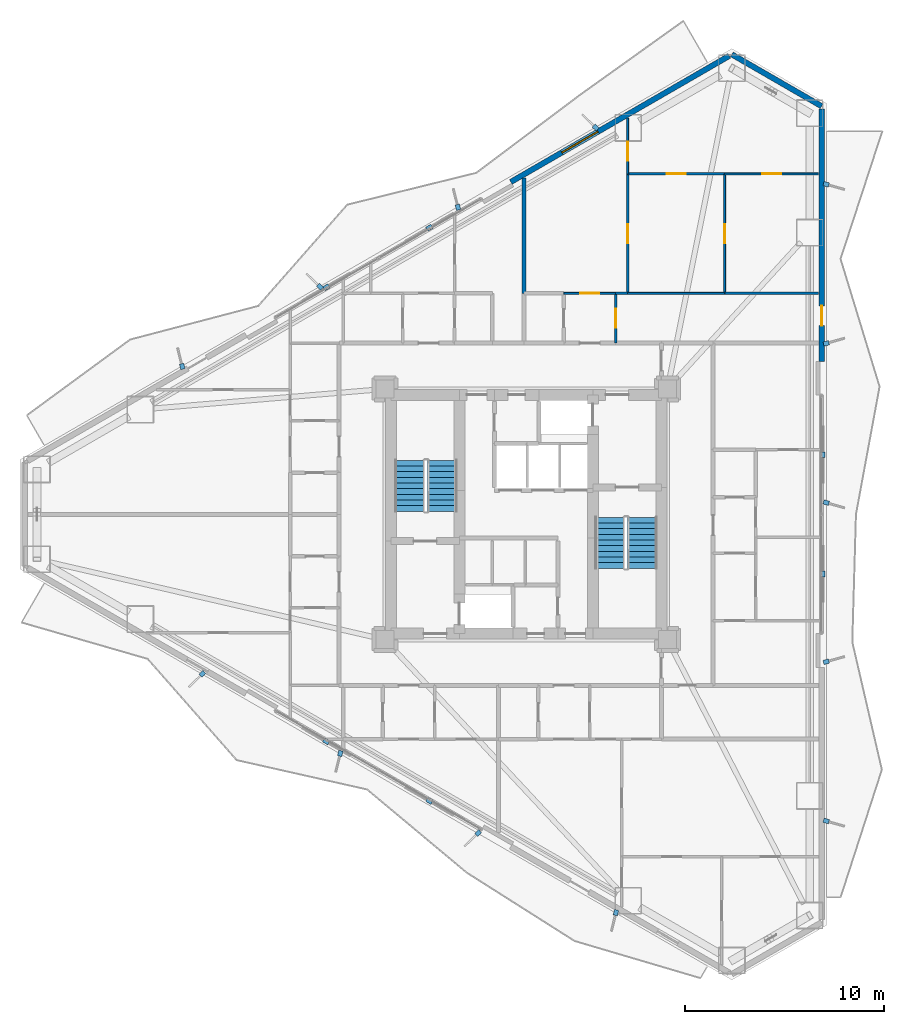
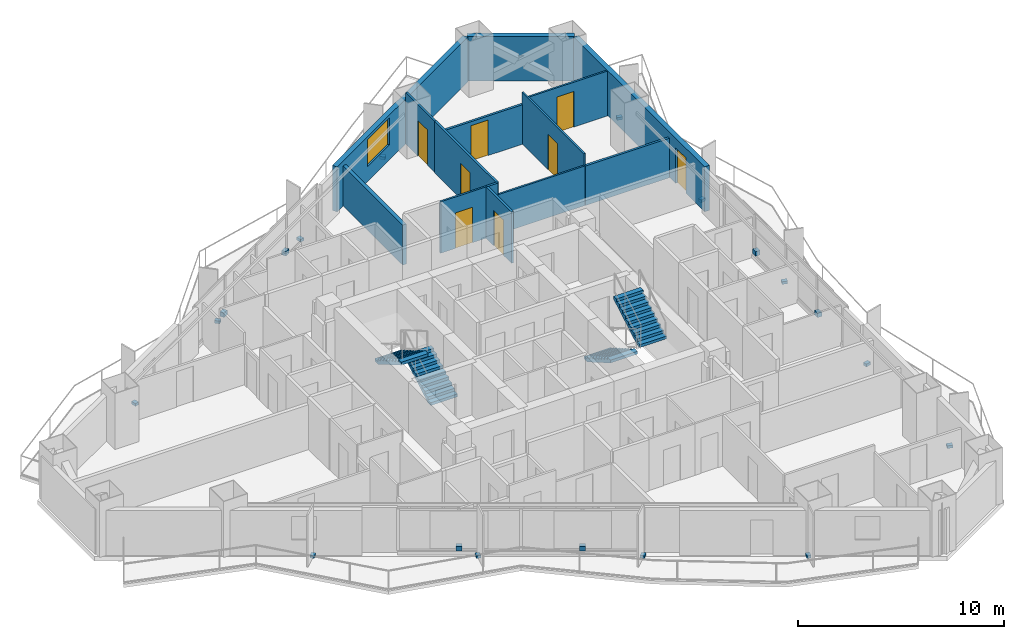
# One storey, part 16 of 18: 19 discrete accessories, 14 walls, 8 doors, 4 stair flights, 1 window, 9 openings, 2 elements without a shape of their own.
"""IFC4 building model written with IfcOpenShell, lengths in metres."""

from ifc_helpers import new_model, si_unit, direction, frame, frame_2d, origin, origin_2d, place, context, subcontext, project, spatial, polyline, rectangle, outline, extrude, material, layer, layer_set, type_object, element, fill, aggregate, save


model = new_model("IFC4")

# Units and contexts
model_context = context("Model", 3, precision=1e-05, world=origin(), true_north=direction((0.0, 1.0)))
body_context = subcontext(model_context, "Body", "Model", "MODEL_VIEW")
ifc_project = project(units=[si_unit("LENGTHUNIT", "METRE"), si_unit("AREAUNIT", "SQUARE_METRE"), si_unit("VOLUMEUNIT", "CUBIC_METRE"), si_unit("PLANEANGLEUNIT", "RADIAN"), si_unit("MASSUNIT", "GRAM", prefix="KILO")], contexts=[model_context])

# Site, building, storey
site_placement = place(None, origin())
site = spatial("IfcSite", under=ifc_project, at=site_placement, CompositionType="ELEMENT")
building_placement = place(site_placement, origin())
building = spatial("IfcBuilding", under=site, at=building_placement, Name="Mersakhor Tower and Convention Hall", CompositionType="ELEMENT")
storey_placement = place(building_placement, frame((0.0, 0.0, 32.39990234375)))
storey = spatial("IfcBuildingStorey", under=building, at=storey_placement, Name="L08", CompositionType="ELEMENT", Elevation=32.39990234375)

# Wall
ifc_material_1 = material(Name="Precast concrete C45/55", Category="concrete")
ifc_layer_1 = layer(ifc_material_1, 0.27490234375)
ifc_layer_set_1 = layer_set([ifc_layer_1], Name="Precast concrete C45/55")
wall_type_1 = type_object("IfcWallType", Name="WL-EXT-275", PredefinedType="SOLIDWALL", material=ifc_layer_set_1)
wall_1_placement = place(storey_placement, frame((39.3369140625, 49.865234375, 0.0), z_axis=(0.0, 0.0, 1.0), x_axis=(0.866043601342, -0.499968479581, 0.0)))
element("IfcWall", 1, at=wall_1_placement, inside=storey, type_object=wall_type_1, Name="L08 Chamfer Braced Spandrel Wall C1", PredefinedType="SOLIDWALL", context=body_context, shape_type="SweptSolid", body=[
    extrude(rectangle(XDim=5.211181640625, YDim=0.27490234375, at=frame_2d((2.60546875, 0.0))), origin(), (0.0, 0.0, 1.0), 2.66015625),
])

# Wall, opening, window
wall_2_placement = place(storey_placement, frame((28.231689453125, 43.453857421875, 0.0), z_axis=(0.0, 0.0, 1.0), x_axis=(0.86603192154, 0.499988710747, 0.0)))
wall_2 = element("IfcWall", 2, at=wall_2_placement, inside=storey, type_object=wall_type_1, Name="L08 Exterior Facade Wall F1-B3", PredefinedType="SOLIDWALL", context=body_context, shape_type="SweptSolid", body=[
    extrude(rectangle(XDim=12.673095703125, YDim=0.27490234375, at=frame_2d((6.33642578125, 0.0))), origin(), (0.0, 0.0, 1.0), 2.66015625),
])
opening_1_placement = place(wall_2_placement, frame((2.9599609375, 0.0, 0.89990234375)))
opening_1 = element("IfcOpeningElement", 3, at=opening_1_placement, cuts=wall_2, Name="Opening W-04", PredefinedType="OPENING", context=body_context, shape_type="SweptSolid", body=[
    extrude(rectangle(XDim=2.10009765625, YDim=1.60009765625, at=frame_2d((1.050048828125, 0.800048828125))), frame((0.0, 0.1474609375, 0.0), z_axis=(0.0, -1.0, 0.0), x_axis=(1.0, 0.0, 0.0)), (0.0, 0.0, 1.0), 0.294921875),
])
ifc_material_2 = material(Name="Dark solar low-E glazed aluminium window", Category="aluminium")
window_type = type_object("IfcWindowType", Name="WN-RES-210x160", PartitioningType="SINGLE_PANEL", PredefinedType="WINDOW", material=ifc_material_2)
window_placement = place(opening_1_placement, origin())
window = element("IfcWindow", 4, at=window_placement, inside=storey, type_object=window_type, Name="L08 Facade Punched Window F1-B3", OverallHeight=1.60009765625, OverallWidth=2.10009765625, PartitioningType="SINGLE_PANEL", PredefinedType="WINDOW", context=body_context, shape_type="SweptSolid", body=[
    extrude(rectangle(XDim=2.10009765625, YDim=1.60009765625, at=frame_2d((1.050048828125, 0.800048828125))), frame((0.0, 0.030029296875, 0.0), z_axis=(0.0, -1.0, 0.0), x_axis=(1.0, 0.0, 0.0)), (0.0, 0.0, 1.0), 0.06005859375),
])
fill(opening_1, window)

# Wall, opening, door
wall_3_placement = place(storey_placement, frame((43.85009765625, 47.109619140625, 0.0), z_axis=(0.0, 0.0, 1.0), x_axis=(0.0, -1.0, 0.0)))
wall_3 = element("IfcWall", 5, at=wall_3_placement, inside=storey, type_object=wall_type_1, Name="L08 Exterior Facade Wall F2-B1", PredefinedType="SOLIDWALL", context=body_context, shape_type="SweptSolid", body=[
    extrude(rectangle(XDim=12.673095703125, YDim=0.27490234375, at=frame_2d((6.33642578125, 0.0))), origin(), (0.0, 0.0, 1.0), 2.66015625),
])
opening_2_placement = place(wall_3_placement, frame((9.8798828125, 0.0, 0.0)))
opening_2 = element("IfcOpeningElement", 6, at=opening_2_placement, cuts=wall_3, Name="Opening BD-01", PredefinedType="OPENING", context=body_context, shape_type="SweptSolid", body=[
    extrude(rectangle(XDim=1.0, YDim=2.10009765625, at=frame_2d((0.5, 1.050048828125))), frame((0.0, 0.1474609375, 0.0), z_axis=(0.0, -1.0, 0.0), x_axis=(1.0, 0.0, 0.0)), (0.0, 0.0, 1.0), 0.294921875),
])
ifc_material_3 = material(Name="Thermally broken dark aluminium and safety glass", Category="aluminium")
door_type_1 = type_object("IfcDoorType", Name="DR-BAL-100x210", OperationType="NOTDEFINED", PredefinedType="DOOR", material=ifc_material_3)
door_1_placement = place(opening_2_placement, origin())
door_1 = element("IfcDoor", 7, at=door_1_placement, inside=storey, type_object=door_type_1, Name="L08 Balcony Terrace Door F2-B1", OperationType="SINGLE_SWING_LEFT", OverallHeight=2.10009765625, OverallWidth=1.0, PredefinedType="DOOR", context=body_context, shape_type="SweptSolid", body=[
    extrude(rectangle(XDim=1.0, YDim=2.10009765625, at=frame_2d((0.5, 1.050048828125))), frame((0.0, 0.02490234375, 0.0), z_axis=(0.0, -1.0, 0.0), x_axis=(1.0, 0.0, 0.0)), (0.0, 0.0, 1.0), 0.050048828125),
])
fill(opening_2, door_1)

ifc_material_4 = material(Name="Lightweight gypsum partition", Category="other")
ifc_layer_2 = layer(ifc_material_4, 0.10009765625)
ifc_layer_set_2 = layer_set([ifc_layer_2], Name="Lightweight gypsum partition")
wall_type_2 = type_object("IfcWallType", Name="WL-PRT-100", PredefinedType="PARTITIONING", material=ifc_layer_set_2)
wall_4_placement = place(storey_placement, frame((30.89990234375, 37.85009765625, 0.0), z_axis=(0.0, 0.0, 1.0), x_axis=(1.0, 0.0, 0.0)))
wall_4 = element("IfcWall", 8, at=wall_4_placement, inside=storey, type_object=wall_type_2, Name="L08 Interior Partition Wall P-070", PredefinedType="PARTITIONING", context=body_context, shape_type="SweptSolid", body=[
    extrude(rectangle(XDim=2.60009765625, YDim=0.10009765625, at=frame_2d((1.300048828125, 0.0))), origin(), (0.0, 0.0, 1.0), 3.0400390625),
])
opening_3_placement = place(wall_4_placement, frame((0.824951171875, 0.0, 0.0)))
opening_3 = element("IfcOpeningElement", 9, at=opening_3_placement, cuts=wall_4, Name="Opening RD-01", PredefinedType="OPENING", context=body_context, shape_type="SweptSolid", body=[
    extrude(rectangle(XDim=0.949951171875, YDim=2.10009765625, at=frame_2d((0.47509765625, 1.050048828125))), frame((0.0, 0.06005859375, 0.0), z_axis=(0.0, -1.0, 0.0), x_axis=(1.0, 0.0, 0.0)), (0.0, 0.0, 1.0), 0.1201171875),
])
ifc_material_5 = material(Name="Solid-core hardwood leaf in painted steel frame", Category="steel")
door_type_2 = type_object("IfcDoorType", Name="DR-INT-RM-095x210", OperationType="NOTDEFINED", PredefinedType="DOOR", material=ifc_material_5)
door_2_placement = place(opening_3_placement, origin())
door_2 = element("IfcDoor", 10, at=door_2_placement, inside=storey, type_object=door_type_2, Name="L08 L08 Flat N2 Apartment Hall to L08 Flat N2 Living and Dining Room Door", OperationType="SINGLE_SWING_LEFT", OverallHeight=2.10009765625, OverallWidth=0.949951171875, PredefinedType="DOOR", context=body_context, shape_type="SweptSolid", body=[
    extrude(rectangle(XDim=0.949951171875, YDim=2.10009765625, at=frame_2d((0.47509765625, 1.050048828125))), frame((0.0, 0.02490234375, 0.0), z_axis=(0.0, -1.0, 0.0), x_axis=(1.0, 0.0, 0.0)), (0.0, 0.0, 1.0), 0.050048828125),
])
fill(opening_3, door_2)

# Wall
wall_5_placement = place(storey_placement, frame((34.10009765625, 37.85009765625, 0.0), z_axis=(0.0, 0.0, 1.0), x_axis=(1.0, 0.0, 0.0)))
element("IfcWall", 11, at=wall_5_placement, inside=storey, type_object=wall_type_2, Name="L08 Interior Partition Wall P-098", PredefinedType="PARTITIONING", context=body_context, shape_type="SweptSolid", body=[
    extrude(rectangle(XDim=4.8798828125, YDim=0.10009765625, at=frame_2d((2.43994140625, 0.0))), origin(), (0.0, 0.0, 1.0), 2.337646484375),
])

# Wall, opening, door
wall_6_placement = place(storey_placement, frame((34.10009765625, 46.6552734375, 0.0), z_axis=(0.0, 0.0, 1.0), x_axis=(0.0, -1.0, 0.0)))
wall_6 = element("IfcWall", 12, at=wall_6_placement, inside=storey, type_object=wall_type_2, Name="L08 Interior Partition Wall P-126", PredefinedType="PARTITIONING", context=body_context, shape_type="SweptSolid", body=[
    extrude(rectangle(XDim=2.795166015625, YDim=0.10009765625, at=frame_2d((1.3974609375, 0.0))), origin(), (0.0, 0.0, 1.0), 3.0400390625),
])
opening_4_placement = place(wall_6_placement, frame((1.17529296875, 0.0, 0.0)))
opening_4 = element("IfcOpeningElement", 13, at=opening_4_placement, cuts=wall_6, Name="Opening RD-01", PredefinedType="OPENING", context=body_context, shape_type="SweptSolid", body=[
    extrude(rectangle(XDim=0.949951171875, YDim=2.10009765625, at=frame_2d((0.47509765625, 1.050048828125))), frame((0.0, 0.06005859375, 0.0), z_axis=(0.0, -1.0, 0.0), x_axis=(1.0, 0.0, 0.0)), (0.0, 0.0, 1.0), 0.1201171875),
])
door_3_placement = place(opening_4_placement, origin())
door_3 = element("IfcDoor", 14, at=door_3_placement, inside=storey, type_object=door_type_2, Name="L08 L08 Flat N2 Living and Dining Room to L08 Flat N2 Dining Room Door", OperationType="SINGLE_SWING_LEFT", OverallHeight=2.10009765625, OverallWidth=0.949951171875, PredefinedType="DOOR", context=body_context, shape_type="SweptSolid", body=[
    extrude(rectangle(XDim=0.949951171875, YDim=2.10009765625, at=frame_2d((0.47509765625, 1.050048828125))), frame((0.0, 0.02490234375, 0.0), z_axis=(0.0, -1.0, 0.0), x_axis=(1.0, 0.0, 0.0)), (0.0, 0.0, 1.0), 0.050048828125),
])
fill(opening_4, door_3)

wall_7_placement = place(storey_placement, frame((38.97998046875, 43.860107421875, 0.0), z_axis=(0.0, 0.0, 1.0), x_axis=(0.0, -1.0, 0.0)))
wall_7 = element("IfcWall", 15, at=wall_7_placement, inside=storey, type_object=wall_type_2, Name="L08 Interior Partition Wall P-128", PredefinedType="PARTITIONING", context=body_context, shape_type="SweptSolid", body=[
    extrude(rectangle(XDim=6.010009765625, YDim=0.10009765625, at=frame_2d((3.0048828125, 0.0))), origin(), (0.0, 0.0, 1.0), 3.0400390625),
])
opening_5_placement = place(wall_7_placement, frame((2.530029296875, 0.0, 0.0)))
opening_5 = element("IfcOpeningElement", 16, at=opening_5_placement, cuts=wall_7, Name="Opening RD-01", PredefinedType="OPENING", context=body_context, shape_type="SweptSolid", body=[
    extrude(rectangle(XDim=0.949951171875, YDim=2.10009765625, at=frame_2d((0.47509765625, 1.050048828125))), frame((0.0, 0.06005859375, 0.0), z_axis=(0.0, -1.0, 0.0), x_axis=(1.0, 0.0, 0.0)), (0.0, 0.0, 1.0), 0.1201171875),
])
door_4_placement = place(opening_5_placement, origin())
door_4 = element("IfcDoor", 17, at=door_4_placement, inside=storey, type_object=door_type_2, Name="L08 L08 Flat N2 Bedroom 1 to L08 Flat N2 Study Room Door", OperationType="SINGLE_SWING_RIGHT", OverallHeight=2.10009765625, OverallWidth=0.949951171875, PredefinedType="DOOR", context=body_context, shape_type="SweptSolid", body=[
    extrude(rectangle(XDim=0.949951171875, YDim=2.10009765625, at=frame_2d((0.47509765625, 1.050048828125))), frame((0.0, 0.02490234375, 0.0), z_axis=(0.0, -1.0, 0.0), x_axis=(1.0, 0.0, 0.0)), (0.0, 0.0, 1.0), 0.050048828125),
])
fill(opening_5, door_4)

wall_8_placement = place(storey_placement, frame((38.97998046875, 43.860107421875, 0.0), z_axis=(0.0, 0.0, 1.0), x_axis=(1.0, 0.0, 0.0)))
wall_8 = element("IfcWall", 18, at=wall_8_placement, inside=storey, type_object=wall_type_2, Name="L08 Interior Partition Wall P-130", PredefinedType="PARTITIONING", context=body_context, shape_type="SweptSolid", body=[
    extrude(rectangle(XDim=4.70849609375, YDim=0.10009765625, at=frame_2d((2.354248046875, 0.0))), origin(), (0.0, 0.0, 1.0), 2.650390625),
])
opening_6_placement = place(wall_8_placement, frame((1.87939453125, 0.0, 0.0)))
opening_6 = element("IfcOpeningElement", 19, at=opening_6_placement, cuts=wall_8, Name="Opening RD-01", PredefinedType="OPENING", context=body_context, shape_type="SweptSolid", body=[
    extrude(rectangle(XDim=0.949951171875, YDim=2.10009765625, at=frame_2d((0.47509765625, 1.050048828125))), frame((0.0, 0.06005859375, 0.0), z_axis=(0.0, -1.0, 0.0), x_axis=(1.0, 0.0, 0.0)), (0.0, 0.0, 1.0), 0.1201171875),
])
door_5_placement = place(opening_6_placement, origin())
door_5 = element("IfcDoor", 20, at=door_5_placement, inside=storey, type_object=door_type_2, Name="L08 L08 Flat N2 Study Room to L08 Flat N2 Dining Room Door", OperationType="SINGLE_SWING_RIGHT", OverallHeight=2.10009765625, OverallWidth=0.949951171875, PredefinedType="DOOR", context=body_context, shape_type="SweptSolid", body=[
    extrude(rectangle(XDim=0.949951171875, YDim=2.10009765625, at=frame_2d((0.47509765625, 1.050048828125))), frame((0.0, 0.02490234375, 0.0), z_axis=(0.0, -1.0, 0.0), x_axis=(1.0, 0.0, 0.0)), (0.0, 0.0, 1.0), 0.050048828125),
])
fill(opening_6, door_5)

ifc_material_6 = material(Name="Gypsum board acoustic partition", Category="other")
ifc_layer_3 = layer(ifc_material_6, 0.125)
ifc_layer_set_3 = layer_set([ifc_layer_3], Name="Gypsum board acoustic partition")
wall_type_3 = type_object("IfcWallType", Name="WL-PRT-125", PredefinedType="PARTITIONING", material=ifc_layer_set_3)
wall_9_placement = place(storey_placement, frame((33.5, 37.85009765625, 0.0), z_axis=(0.0, 0.0, 1.0), x_axis=(0.0, -1.0, 0.0)))
wall_9 = element("IfcWall", 21, at=wall_9_placement, inside=storey, type_object=wall_type_3, Name="L08 Interior Partition Wall P-071", PredefinedType="PARTITIONING", context=body_context, shape_type="SweptSolid", body=[
    extrude(rectangle(XDim=2.5, YDim=0.125, at=frame_2d((1.25, 0.0))), origin(), (0.0, 0.0, 1.0), 3.0400390625),
])
opening_7_placement = place(wall_9_placement, frame((0.77490234375, 0.0, 0.0)))
opening_7 = element("IfcOpeningElement", 22, at=opening_7_placement, cuts=wall_9, Name="Opening RD-01", PredefinedType="OPENING", context=body_context, shape_type="SweptSolid", body=[
    extrude(rectangle(XDim=0.949951171875, YDim=2.10009765625, at=frame_2d((0.47509765625, 1.050048828125))), frame((0.0, 0.072509765625, 0.0), z_axis=(0.0, -1.0, 0.0), x_axis=(1.0, 0.0, 0.0)), (0.0, 0.0, 1.0), 0.14501953125),
])
door_6_placement = place(opening_7_placement, origin())
door_6 = element("IfcDoor", 23, at=door_6_placement, inside=storey, type_object=door_type_2, Name="L08 L08 Flat N2 Apartment Hall to L08 Flat N2 Kitchen Door", OperationType="SINGLE_SWING_RIGHT", OverallHeight=2.10009765625, OverallWidth=0.949951171875, PredefinedType="DOOR", context=body_context, shape_type="SweptSolid", body=[
    extrude(rectangle(XDim=0.949951171875, YDim=2.10009765625, at=frame_2d((0.47509765625, 1.050048828125))), frame((0.0, 0.02490234375, 0.0), z_axis=(0.0, -1.0, 0.0), x_axis=(1.0, 0.0, 0.0)), (0.0, 0.0, 1.0), 0.050048828125),
])
fill(opening_7, door_6)

# Walls
wall_10_placement = place(storey_placement, frame((33.5, 37.85009765625, 0.0), z_axis=(0.0, 0.0, 1.0), x_axis=(1.0, 0.0, 0.0)))
element("IfcWall", 24, at=wall_10_placement, inside=storey, type_object=wall_type_3, Name="L08 Interior Partition Wall P-097", PredefinedType="PARTITIONING", context=body_context, shape_type="SweptSolid", body=[
    extrude(rectangle(XDim=0.60009765625, YDim=0.125, at=frame_2d((0.300048828125, 0.0))), origin(), (0.0, 0.0, 1.0), 3.0400390625),
])
wall_11_placement = place(storey_placement, frame((38.97998046875, 37.85009765625, 0.0), z_axis=(0.0, 0.0, 1.0), x_axis=(1.0, 0.0, 0.0)))
element("IfcWall", 25, at=wall_11_placement, inside=storey, type_object=wall_type_3, Name="L08 Interior Partition Wall P-099", PredefinedType="PARTITIONING", context=body_context, shape_type="SweptSolid", body=[
    extrude(rectangle(XDim=4.70849609375, YDim=0.125, at=frame_2d((2.354248046875, 0.0))), origin(), (0.0, 0.0, 1.0), 2.337646484375),
])

# Wall, opening, door
wall_12_placement = place(storey_placement, frame((34.10009765625, 43.860107421875, 0.0), z_axis=(0.0, 0.0, 1.0), x_axis=(0.0, -1.0, 0.0)))
wall_12 = element("IfcWall", 26, at=wall_12_placement, inside=storey, type_object=wall_type_3, Name="L08 Interior Partition Wall P-127", PredefinedType="PARTITIONING", context=body_context, shape_type="SweptSolid", body=[
    extrude(rectangle(XDim=6.010009765625, YDim=0.125, at=frame_2d((3.0048828125, 0.0))), origin(), (0.0, 0.0, 1.0), 3.0400390625),
])
opening_8_placement = place(wall_12_placement, frame((2.530029296875, 0.0, 0.0)))
opening_8 = element("IfcOpeningElement", 27, at=opening_8_placement, cuts=wall_12, Name="Opening RD-01", PredefinedType="OPENING", context=body_context, shape_type="SweptSolid", body=[
    extrude(rectangle(XDim=0.949951171875, YDim=2.10009765625, at=frame_2d((0.47509765625, 1.050048828125))), frame((0.0, 0.072509765625, 0.0), z_axis=(0.0, -1.0, 0.0), x_axis=(1.0, 0.0, 0.0)), (0.0, 0.0, 1.0), 0.14501953125),
])
door_7_placement = place(opening_8_placement, origin())
door_7 = element("IfcDoor", 28, at=door_7_placement, inside=storey, type_object=door_type_2, Name="L08 L08 Flat N2 Living and Dining Room to L08 Flat N2 Bedroom 1 Door", OperationType="SINGLE_SWING_RIGHT", OverallHeight=2.10009765625, OverallWidth=0.949951171875, PredefinedType="DOOR", context=body_context, shape_type="SweptSolid", body=[
    extrude(rectangle(XDim=0.949951171875, YDim=2.10009765625, at=frame_2d((0.47509765625, 1.050048828125))), frame((0.0, 0.02490234375, 0.0), z_axis=(0.0, -1.0, 0.0), x_axis=(1.0, 0.0, 0.0)), (0.0, 0.0, 1.0), 0.050048828125),
])
fill(opening_8, door_7)

wall_13_placement = place(storey_placement, frame((34.10009765625, 43.860107421875, 0.0), z_axis=(0.0, 0.0, 1.0), x_axis=(1.0, 0.0, 0.0)))
wall_13 = element("IfcWall", 29, at=wall_13_placement, inside=storey, type_object=wall_type_3, Name="L08 Interior Partition Wall P-129", PredefinedType="PARTITIONING", context=body_context, shape_type="SweptSolid", body=[
    extrude(rectangle(XDim=4.8798828125, YDim=0.125, at=frame_2d((2.43994140625, 0.0))), origin(), (0.0, 0.0, 1.0), 2.337646484375),
])
opening_9_placement = place(wall_13_placement, frame((1.965087890625, 0.0, 0.0)))
opening_9 = element("IfcOpeningElement", 30, at=opening_9_placement, cuts=wall_13, Name="Opening RD-01", PredefinedType="OPENING", context=body_context, shape_type="SweptSolid", body=[
    extrude(rectangle(XDim=0.949951171875, YDim=2.10009765625, at=frame_2d((0.47509765625, 1.050048828125))), frame((0.0, 0.072509765625, 0.0), z_axis=(0.0, -1.0, 0.0), x_axis=(1.0, 0.0, 0.0)), (0.0, 0.0, 1.0), 0.14501953125),
])
door_8_placement = place(opening_9_placement, origin())
door_8 = element("IfcDoor", 31, at=door_8_placement, inside=storey, type_object=door_type_2, Name="L08 L08 Flat N2 Bedroom 1 to L08 Flat N2 Dining Room Door", OperationType="SINGLE_SWING_LEFT", OverallHeight=2.10009765625, OverallWidth=0.949951171875, PredefinedType="DOOR", context=body_context, shape_type="SweptSolid", body=[
    extrude(rectangle(XDim=0.949951171875, YDim=2.10009765625, at=frame_2d((0.47509765625, 1.050048828125))), frame((0.0, 0.02490234375, 0.0), z_axis=(0.0, -1.0, 0.0), x_axis=(1.0, 0.0, 0.0)), (0.0, 0.0, 1.0), 0.050048828125),
])
fill(opening_9, door_8)

# Wall
ifc_material_7 = material(Name="Acoustic concrete blockwork and gypsum board", Category="masonry")
ifc_layer_4 = layer(ifc_material_7, 0.199951171875)
ifc_layer_set_4 = layer_set([ifc_layer_4], Name="Acoustic concrete blockwork and gypsum board")
wall_type_4 = type_object("IfcWallType", Name="WL-PRT-200", PredefinedType="PARTITIONING", material=ifc_layer_set_4)
wall_14_placement = place(storey_placement, frame((28.89990234375, 43.653076171875, 0.0), z_axis=(0.0, 0.0, 1.0), x_axis=(0.0, -1.0, 0.0)))
element("IfcWall", 32, at=wall_14_placement, inside=storey, type_object=wall_type_4, Name="L08 Interior Partition Wall P-125", PredefinedType="PARTITIONING", context=body_context, shape_type="SweptSolid", body=[
    extrude(rectangle(XDim=5.802978515625, YDim=0.199951171875, at=frame_2d((2.9013671875, 0.0))), origin(), (0.0, 0.0, 1.0), 2.364990234375),
])

# Stair, stair flights
ifc_material_8 = material(Name="Concrete C45/55", Category="concrete")
stair_type = type_object("IfcStairType", Name="ST-TWR-20R", PredefinedType="HALF_TURN_STAIR", material=ifc_material_8)
stair_1_placement = place(storey_placement, origin())
stair_1 = element("IfcStair", 33, at=stair_1_placement, inside=storey, type_object=stair_type, Name="L08 Tower Protected Exit Stair ST-1", PredefinedType="HALF_TURN_STAIR")
ifc_material_9 = material(Name="Concrete C45/55", Category="concrete")
stair_flight_type = type_object("IfcStairFlightType", Name="SFL-TWR-20R", PredefinedType="STRAIGHT", material=ifc_material_9)
stair_flight_1_placement = place(storey_placement, frame((24.800048828125, 26.89990234375, 0.0), z_axis=(0.0, 0.0, 1.0), x_axis=(0.0, 1.0, 0.0)))
stair_flight_1 = element("IfcStairFlight", 34, at=stair_flight_1_placement, type_object=stair_flight_type, Name="ST-1 flight 1", NumberOfRisers=10, NumberOfTreads=9, PredefinedType="STRAIGHT", RiserHeight=0.165, TreadLength=0.285, context=body_context, shape_type="SweptSolid", body=[
    extrude(outline(polyline([(0.0, 0.0), (0.0, 0.1650390625), (0.284912109375, 0.1650390625), (0.284912109375, 0.330078125), (0.570068359375, 0.330078125), (0.570068359375, 0.4951171875), (0.85498046875, 0.4951171875), (0.85498046875, 0.659912109375), (1.139892578125, 0.659912109375), (1.139892578125, 0.824951171875), (1.425048828125, 0.824951171875), (1.425048828125, 0.989990234375), (1.7099609375, 0.989990234375), (1.7099609375, 1.155029296875), (1.9951171875, 1.155029296875), (1.9951171875, 1.320068359375), (2.280029296875, 1.320068359375), (2.280029296875, 1.485107421875), (2.56494140625, 1.485107421875), (2.56494140625, 1.64990234375), (2.56494140625, 1.311767578125), (0.299072265625, 0.0), (0.0, 0.0)])), frame((0.0, 0.75, 0.0), z_axis=(0.0, -1.0, 0.0), x_axis=(1.0, 0.0, 0.0)), (0.0, 0.0, 1.0), 1.5),
])
stair_flight_2_placement = place(storey_placement, frame((23.14990234375, 29.465087890625, 1.650146484375), z_axis=(0.0, 0.0, 1.0), x_axis=(0.0, -1.0, 0.0)))
stair_flight_2 = element("IfcStairFlight", 35, at=stair_flight_2_placement, type_object=stair_flight_type, Name="ST-1 flight 2", NumberOfRisers=10, NumberOfTreads=9, PredefinedType="STRAIGHT", RiserHeight=0.165, TreadLength=0.285, context=body_context, shape_type="SweptSolid", body=[
    extrude(outline(polyline([(0.0, 0.0), (0.0, 0.1650390625), (0.284912109375, 0.1650390625), (0.284912109375, 0.330078125), (0.570068359375, 0.330078125), (0.570068359375, 0.4951171875), (0.85498046875, 0.4951171875), (0.85498046875, 0.659912109375), (1.139892578125, 0.659912109375), (1.139892578125, 0.824951171875), (1.425048828125, 0.824951171875), (1.425048828125, 0.989990234375), (1.7099609375, 0.989990234375), (1.7099609375, 1.155029296875), (1.9951171875, 1.155029296875), (1.9951171875, 1.320068359375), (2.280029296875, 1.320068359375), (2.280029296875, 1.485107421875), (2.56494140625, 1.485107421875), (2.56494140625, 1.64990234375), (2.56494140625, 1.311767578125), (0.299072265625, 0.0), (0.0, 0.0)])), frame((0.0, 0.75, 0.0), z_axis=(0.0, -1.0, 0.0), x_axis=(1.0, 0.0, 0.0)), (0.0, 0.0, 1.0), 1.5),
])
aggregate(stair_1, [stair_flight_1, stair_flight_2])

stair_2_placement = place(storey_placement, origin())
stair_2 = element("IfcStair", 36, at=stair_2_placement, inside=storey, type_object=stair_type, Name="L08 Tower Protected Exit Stair ST-2", PredefinedType="HALF_TURN_STAIR")
stair_flight_3_placement = place(storey_placement, frame((33.199951171875, 26.60009765625, 0.0), z_axis=(0.0, 0.0, 1.0), x_axis=(0.0, -1.0, 0.0)))
stair_flight_3 = element("IfcStairFlight", 37, at=stair_flight_3_placement, type_object=stair_flight_type, Name="ST-2 flight 1", NumberOfRisers=10, NumberOfTreads=9, PredefinedType="STRAIGHT", RiserHeight=0.165, TreadLength=0.285, context=body_context, shape_type="SweptSolid", body=[
    extrude(outline(polyline([(0.0, 0.0), (0.0, 0.1650390625), (0.284912109375, 0.1650390625), (0.284912109375, 0.330078125), (0.570068359375, 0.330078125), (0.570068359375, 0.4951171875), (0.85498046875, 0.4951171875), (0.85498046875, 0.659912109375), (1.139892578125, 0.659912109375), (1.139892578125, 0.824951171875), (1.425048828125, 0.824951171875), (1.425048828125, 0.989990234375), (1.7099609375, 0.989990234375), (1.7099609375, 1.155029296875), (1.9951171875, 1.155029296875), (1.9951171875, 1.320068359375), (2.280029296875, 1.320068359375), (2.280029296875, 1.485107421875), (2.56494140625, 1.485107421875), (2.56494140625, 1.64990234375), (2.56494140625, 1.311767578125), (0.299072265625, 0.0), (0.0, 0.0)])), frame((0.0, 0.75, 0.0), z_axis=(0.0, -1.0, 0.0), x_axis=(1.0, 0.0, 0.0)), (0.0, 0.0, 1.0), 1.5),
])
stair_flight_4_placement = place(storey_placement, frame((34.85009765625, 24.034912109375, 1.650146484375), z_axis=(0.0, 0.0, 1.0), x_axis=(0.0, 1.0, 0.0)))
stair_flight_4 = element("IfcStairFlight", 38, at=stair_flight_4_placement, type_object=stair_flight_type, Name="ST-2 flight 2", NumberOfRisers=10, NumberOfTreads=9, PredefinedType="STRAIGHT", RiserHeight=0.165, TreadLength=0.285, context=body_context, shape_type="SweptSolid", body=[
    extrude(outline(polyline([(0.0, 0.0), (0.0, 0.1650390625), (0.284912109375, 0.1650390625), (0.284912109375, 0.330078125), (0.570068359375, 0.330078125), (0.570068359375, 0.4951171875), (0.85498046875, 0.4951171875), (0.85498046875, 0.659912109375), (1.139892578125, 0.659912109375), (1.139892578125, 0.824951171875), (1.425048828125, 0.824951171875), (1.425048828125, 0.989990234375), (1.7099609375, 0.989990234375), (1.7099609375, 1.155029296875), (1.9951171875, 1.155029296875), (1.9951171875, 1.320068359375), (2.280029296875, 1.320068359375), (2.280029296875, 1.485107421875), (2.56494140625, 1.485107421875), (2.56494140625, 1.64990234375), (2.56494140625, 1.311767578125), (0.299072265625, 0.0), (0.0, 0.0)])), frame((0.0, 0.75, 0.0), z_axis=(0.0, -1.0, 0.0), x_axis=(1.0, 0.0, 0.0)), (0.0, 0.0, 1.0), 1.5),
])
aggregate(stair_2, [stair_flight_3, stair_flight_4])

# Discrete accessories
ifc_material_10 = material(Name="Galvanised steel bracket", Category="steel")
ifc_layer_5 = layer(ifc_material_10, 0.02001953125)
ifc_layer_set_5 = layer_set([ifc_layer_5], Name="Galvanised steel bracket")
discrete_accessory_type = type_object("IfcDiscreteAccessoryType", Name="ACC-BRK-STL", PredefinedType="BRACKET", material=ifc_layer_set_5)
for number, where, z_axis, x_axis, name in (
    (39, (18.957763671875, 38.156982421875, 0.2900390625), (0.0, 0.0, 1.0), (0.866025403784, 0.5, 0.0), "L08 Solar Screen Outrigger Bracket BRK-1-1"),
    (40, (24.142333984375, 41.150390625, 0.2900390625), (0.0, 0.0, 1.0), (0.866025403784, 0.5, 0.0), "L08 Solar Screen Outrigger Bracket BRK-1-2"),
):
    element("IfcDiscreteAccessory", number, at=place(storey_placement, frame(where, z_axis=z_axis, x_axis=x_axis)), inside=storey, type_object=discrete_accessory_type, Name=name, PredefinedType="BRACKET", context=body_context, shape_type="SweptSolid", body=[
        extrude(rectangle(XDim=0.300048828125, YDim=0.239990234375, at=origin_2d()), origin(), (0.0, 0.0, 1.0), 0.260009765625),
    ])
for number, where, z_axis, x_axis, name in (
    (41, (11.713623046875, 34.1826171875, -0.02001953125), (0.0, 0.0, 1.0), (-0.2419218956, 0.970295726276, 0.0), "L08 Facade Fin Base Cleat Bracket FBRK-1-1"),
    (42, (18.641845703125, 38.1826171875, -0.02001953125), (0.0, 0.0, 1.0), (-0.719339800339, 0.694658370459, 0.0), "L08 Facade Fin Base Cleat Bracket FBRK-1-2"),
    (43, (25.570068359375, 42.1826171875, -0.02001953125), (0.0, 0.0, 1.0), (-0.2419218956, 0.970295726276, 0.0), "L08 Facade Fin Base Cleat Bracket FBRK-1-3"),
    (44, (32.498291015625, 46.1826171875, -0.02001953125), (0.0, 0.0, 1.0), (-0.719339800339, 0.694658370459, 0.0), "L08 Facade Fin Base Cleat Bracket FBRK-1-4"),
):
    element("IfcDiscreteAccessory", number, at=place(storey_placement, frame(where, z_axis=z_axis, x_axis=x_axis)), inside=storey, type_object=discrete_accessory_type, Name=name, PredefinedType="BRACKET", context=body_context, shape_type="SweptSolid", body=[
        extrude(rectangle(XDim=0.280029296875, YDim=0.219970703125, at=origin_2d()), origin(), (0.0, 0.0, 1.0), 0.159912109375),
    ])
for number, where, z_axis, x_axis, name in (
    (45, (43.89990234375, 29.743408203125, 0.2900390625), (0.0, 0.0, 1.0), (0.0, -1.0, 0.0), "L08 Solar Screen Outrigger Bracket BRK-2-1"),
    (46, (43.89990234375, 23.756591796875, 0.2900390625), (0.0, 0.0, 1.0), (0.0, -1.0, 0.0), "L08 Solar Screen Outrigger Bracket BRK-2-2"),
):
    element("IfcDiscreteAccessory", number, at=place(storey_placement, frame(where, z_axis=z_axis, x_axis=x_axis)), inside=storey, type_object=discrete_accessory_type, Name=name, PredefinedType="BRACKET", context=body_context, shape_type="SweptSolid", body=[
        extrude(rectangle(XDim=0.300048828125, YDim=0.239990234375, at=origin_2d()), origin(), (0.0, 0.0, 1.0), 0.260009765625),
    ])
for number, where, z_axis, x_axis, name in (
    (47, (44.080078125, 43.33740234375, -0.02001953125), (0.0, 0.0, 1.0), (0.961261695938, -0.275637355817, 0.0), "L08 Facade Fin Base Cleat Bracket FBRK-2-1"),
    (48, (44.080078125, 35.33740234375, -0.02001953125), (0.0, 0.0, 1.0), (0.961261695938, 0.275637355817, 0.0), "L08 Facade Fin Base Cleat Bracket FBRK-2-2"),
    (49, (44.080078125, 27.33740234375, -0.02001953125), (0.0, 0.0, 1.0), (0.961261695938, -0.275637355817, 0.0), "L08 Facade Fin Base Cleat Bracket FBRK-2-3"),
    (50, (44.080078125, 19.33740234375, -0.02001953125), (0.0, 0.0, 1.0), (0.961261695938, 0.275637355817, 0.0), "L08 Facade Fin Base Cleat Bracket FBRK-2-4"),
    (51, (44.080078125, 11.33740234375, -0.02001953125), (0.0, 0.0, 1.0), (0.961261695938, -0.275637355817, 0.0), "L08 Facade Fin Base Cleat Bracket FBRK-2-5"),
):
    element("IfcDiscreteAccessory", number, at=place(storey_placement, frame(where, z_axis=z_axis, x_axis=x_axis)), inside=storey, type_object=discrete_accessory_type, Name=name, PredefinedType="BRACKET", context=body_context, shape_type="SweptSolid", body=[
        extrude(rectangle(XDim=0.280029296875, YDim=0.219970703125, at=origin_2d()), origin(), (0.0, 0.0, 1.0), 0.159912109375),
    ])
for number, where, z_axis, x_axis, name in (
    (52, (24.14208984375, 12.349609375, 0.2900390625), (0.0, 0.0, 1.0), (-0.866025403784, 0.5, 0.0), "L08 Solar Screen Outrigger Bracket BRK-3-1"),
    (53, (18.957763671875, 15.3427734375, 0.2900390625), (0.0, 0.0, 1.0), (-0.866025403784, 0.5, 0.0), "L08 Solar Screen Outrigger Bracket BRK-3-2"),
):
    element("IfcDiscreteAccessory", number, at=place(storey_placement, frame(where, z_axis=z_axis, x_axis=x_axis)), inside=storey, type_object=discrete_accessory_type, Name=name, PredefinedType="BRACKET", context=body_context, shape_type="SweptSolid", body=[
        extrude(rectangle(XDim=0.300048828125, YDim=0.239990234375, at=origin_2d()), origin(), (0.0, 0.0, 1.0), 0.260009765625),
    ])
for number, where, z_axis, x_axis, name in (
    (54, (33.515625, 6.72998046875, -0.02001953125), (0.0, 0.0, 1.0), (-0.2419218956, -0.970295726276, 0.0), "L08 Facade Fin Base Cleat Bracket FBRK-3-1"),
    (55, (26.58740234375, 10.72998046875, -0.02001953125), (0.0, 0.0, 1.0), (-0.719339800339, -0.694658370459, 0.0), "L08 Facade Fin Base Cleat Bracket FBRK-3-2"),
    (56, (19.6591796875, 14.72998046875, -0.02001953125), (0.0, 0.0, 1.0), (-0.2419218956, -0.970295726276, 0.0), "L08 Facade Fin Base Cleat Bracket FBRK-3-3"),
    (57, (12.73095703125, 18.72998046875, -0.02001953125), (0.0, 0.0, 1.0), (-0.719339800339, -0.694658370459, 0.0), "L08 Facade Fin Base Cleat Bracket FBRK-3-4"),
):
    element("IfcDiscreteAccessory", number, at=place(storey_placement, frame(where, z_axis=z_axis, x_axis=x_axis)), inside=storey, type_object=discrete_accessory_type, Name=name, PredefinedType="BRACKET", context=body_context, shape_type="SweptSolid", body=[
        extrude(rectangle(XDim=0.280029296875, YDim=0.219970703125, at=origin_2d()), origin(), (0.0, 0.0, 1.0), 0.159912109375),
    ])

save(model, "model.ifc")
